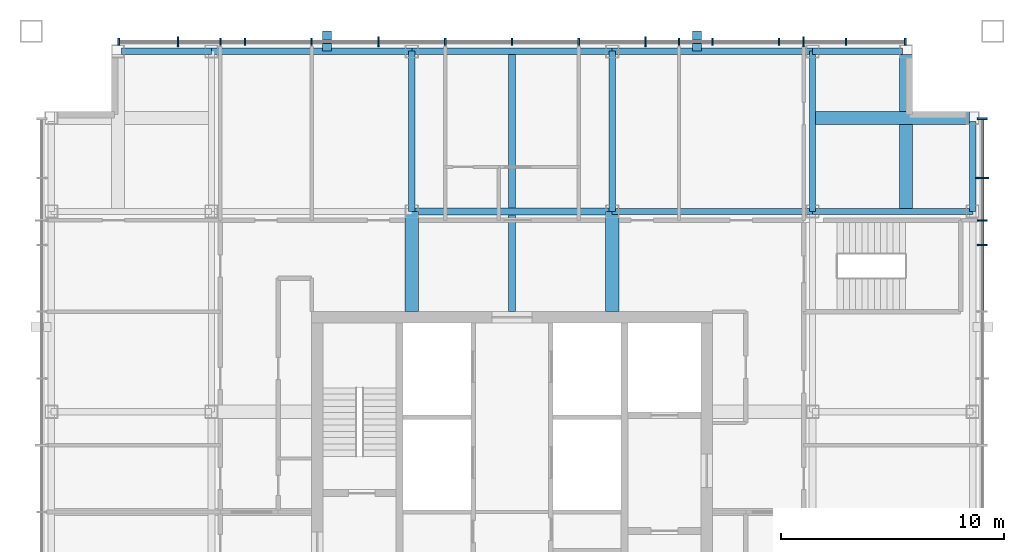
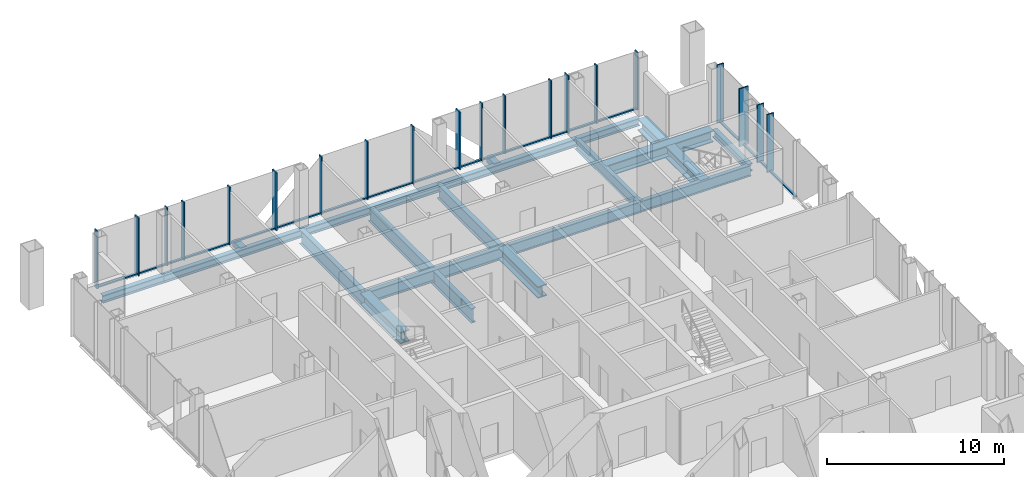
# One storey, part 5 of 12: 41 members, 17 beams, 2 elements without a shape of their own.
"""IFC4 building model written with IfcOpenShell, lengths in metres."""

from ifc_helpers import new_model, si_unit, direction, frame, origin, origin_2d, place, context, subcontext, project, spatial, rectangle, hollow_rectangle, i_section, extrude, material, layer, layer_set, material_profile, profile_set, type_object, element, aggregate, save


model = new_model("IFC4")

# Units and contexts
model_context = context("Model", 3, precision=1e-05, world=origin(), true_north=direction((0.0, 1.0)))
body_context = subcontext(model_context, "Body", "Model", "MODEL_VIEW")
ifc_project = project(units=[si_unit("LENGTHUNIT", "METRE"), si_unit("AREAUNIT", "SQUARE_METRE"), si_unit("VOLUMEUNIT", "CUBIC_METRE"), si_unit("PLANEANGLEUNIT", "RADIAN"), si_unit("MASSUNIT", "GRAM", prefix="KILO")], contexts=[model_context])

# Site, building, storey
site_placement = place(None, origin())
site = spatial("IfcSite", under=ifc_project, at=site_placement, CompositionType="ELEMENT")
building_placement = place(site_placement, origin())
building = spatial("IfcBuilding", under=site, at=building_placement, Name="Malebo Sky Hospital", CompositionType="ELEMENT")
storey_placement = place(building_placement, frame((0.0, 0.0, 262.0)))
storey = spatial("IfcBuildingStorey", under=building, at=storey_placement, Name="L63", CompositionType="ELEMENT", Elevation=262.0)

# Curtain wall, members
ifc_material_1 = material(Name="Anodised aluminium, natural silver", Category="aluminium")
ifc_layer_1 = layer(ifc_material_1, 0.25)
ifc_layer_set_1 = layer_set([ifc_layer_1], Name="WARD CURTAIN WALL NORTH AND SOUTH")
curtain_wall_type_1 = type_object("IfcCurtainWallType", Name="WARD CURTAIN WALL NORTH AND SOUTH", PredefinedType="NOTDEFINED", material=ifc_layer_set_1)
curtain_wall_1_placement = place(storey_placement, origin())
curtain_wall_1 = element("IfcCurtainWall", 1, at=curtain_wall_1_placement, inside=storey, type_object=curtain_wall_type_1, Name="NS curtain wall N", PredefinedType="NOTDEFINED")
ifc_material_profile_1 = material_profile(ifc_material_1, rectangle(XDim=0.14990234375, YDim=0.10009765625, at=origin_2d()), Name="ALUMINIUM TRANSOM 150x100")
ifc_profile_set_1 = profile_set([ifc_material_profile_1], Name="Anodised aluminium, natural silver")
member_type_1 = type_object("IfcMemberType", Name="ALUMINIUM TRANSOM 150x100", PredefinedType="USERDEFINED", material=ifc_profile_set_1)
member_1_placement = place(storey_placement, frame((42.375, 83.125, 0.050048828125), z_axis=(1.0, 0.0, 0.0), x_axis=(0.0, 1.0, 0.0)))
member_1 = element("IfcMember", 2, at=member_1_placement, type_object=member_type_1, Name="Transom 1", ObjectType="TRANSOM", PredefinedType="USERDEFINED", context=body_context, shape_type="SweptSolid", body=[
    extrude(rectangle(XDim=0.14990234375, YDim=0.10009765625, at=origin_2d()), origin(), (0.0, 0.0, 1.0), 2.58740234375),
])
member_2_placement = place(storey_placement, frame((45.03759765625, 83.125, 0.050048828125), z_axis=(1.0, 0.0, 0.0), x_axis=(0.0, 1.0, 0.0)))
member_2 = element("IfcMember", 3, at=member_2_placement, type_object=member_type_1, Name="Transom 2", ObjectType="TRANSOM", PredefinedType="USERDEFINED", context=body_context, shape_type="SweptSolid", body=[
    extrude(rectangle(XDim=0.14990234375, YDim=0.10009765625, at=origin_2d()), origin(), (0.0, 0.0, 1.0), 1.824951171875),
])
member_3_placement = place(storey_placement, frame((46.9375, 83.125, 0.050048828125), z_axis=(1.0, 0.0, 0.0), x_axis=(0.0, 1.0, 0.0)))
member_3 = element("IfcMember", 4, at=member_3_placement, type_object=member_type_1, Name="Transom 3", ObjectType="TRANSOM", PredefinedType="USERDEFINED", context=body_context, shape_type="SweptSolid", body=[
    extrude(rectangle(XDim=0.14990234375, YDim=0.10009765625, at=origin_2d()), origin(), (0.0, 0.0, 1.0), 1.02490234375),
])
member_4_placement = place(storey_placement, frame((48.03759765625, 83.125, 0.050048828125), z_axis=(1.0, 0.0, 0.0), x_axis=(0.0, 1.0, 0.0)))
member_4 = element("IfcMember", 5, at=member_4_placement, type_object=member_type_1, Name="Transom 4", ObjectType="TRANSOM", PredefinedType="USERDEFINED", context=body_context, shape_type="SweptSolid", body=[
    extrude(rectangle(XDim=0.14990234375, YDim=0.10009765625, at=origin_2d()), origin(), (0.0, 0.0, 1.0), 2.9248046875),
])
member_5_placement = place(storey_placement, frame((51.03759765625, 83.125, 0.050048828125), z_axis=(1.0, 0.0, 0.0), x_axis=(0.0, 1.0, 0.0)))
member_5 = element("IfcMember", 6, at=member_5_placement, type_object=member_type_1, Name="Transom 5", ObjectType="TRANSOM", PredefinedType="USERDEFINED", context=body_context, shape_type="SweptSolid", body=[
    extrude(rectangle(XDim=0.14990234375, YDim=0.10009765625, at=origin_2d()), origin(), (0.0, 0.0, 1.0), 2.9248046875),
])
member_6_placement = place(storey_placement, frame((54.03759765625, 83.125, 0.050048828125), z_axis=(1.0, 0.0, 0.0), x_axis=(0.0, 1.0, 0.0)))
member_6 = element("IfcMember", 7, at=member_6_placement, type_object=member_type_1, Name="Transom 6", ObjectType="TRANSOM", PredefinedType="USERDEFINED", context=body_context, shape_type="SweptSolid", body=[
    extrude(rectangle(XDim=0.14990234375, YDim=0.10009765625, at=origin_2d()), origin(), (0.0, 0.0, 1.0), 2.9248046875),
])
member_7_placement = place(storey_placement, frame((57.03759765625, 83.125, 0.050048828125), z_axis=(1.0, 0.0, 0.0), x_axis=(0.0, 1.0, 0.0)))
member_7 = element("IfcMember", 8, at=member_7_placement, type_object=member_type_1, Name="Transom 7", ObjectType="TRANSOM", PredefinedType="USERDEFINED", context=body_context, shape_type="SweptSolid", body=[
    extrude(rectangle(XDim=0.14990234375, YDim=0.10009765625, at=origin_2d()), origin(), (0.0, 0.0, 1.0), 2.9248046875),
])
member_8_placement = place(storey_placement, frame((60.03759765625, 83.125, 0.050048828125), z_axis=(1.0, 0.0, 0.0), x_axis=(0.0, 1.0, 0.0)))
member_8 = element("IfcMember", 9, at=member_8_placement, type_object=member_type_1, Name="Transom 8", ObjectType="TRANSOM", PredefinedType="USERDEFINED", context=body_context, shape_type="SweptSolid", body=[
    extrude(rectangle(XDim=0.14990234375, YDim=0.10009765625, at=origin_2d()), origin(), (0.0, 0.0, 1.0), 2.9248046875),
])
member_9_placement = place(storey_placement, frame((63.03759765625, 83.125, 0.050048828125), z_axis=(1.0, 0.0, 0.0), x_axis=(0.0, 1.0, 0.0)))
member_9 = element("IfcMember", 10, at=member_9_placement, type_object=member_type_1, Name="Transom 9", ObjectType="TRANSOM", PredefinedType="USERDEFINED", context=body_context, shape_type="SweptSolid", body=[
    extrude(rectangle(XDim=0.14990234375, YDim=0.10009765625, at=origin_2d()), origin(), (0.0, 0.0, 1.0), 2.9248046875),
])
member_10_placement = place(storey_placement, frame((66.03759765625, 83.125, 0.050048828125), z_axis=(1.0, 0.0, 0.0), x_axis=(0.0, 1.0, 0.0)))
member_10 = element("IfcMember", 11, at=member_10_placement, type_object=member_type_1, Name="Transom 10", ObjectType="TRANSOM", PredefinedType="USERDEFINED", context=body_context, shape_type="SweptSolid", body=[
    extrude(rectangle(XDim=0.14990234375, YDim=0.10009765625, at=origin_2d()), origin(), (0.0, 0.0, 1.0), 1.4248046875),
])
member_11_placement = place(storey_placement, frame((67.53759765625, 83.125, 0.050048828125), z_axis=(1.0, 0.0, 0.0), x_axis=(0.0, 1.0, 0.0)))
member_11 = element("IfcMember", 12, at=member_11_placement, type_object=member_type_1, Name="Transom 11", ObjectType="TRANSOM", PredefinedType="USERDEFINED", context=body_context, shape_type="SweptSolid", body=[
    extrude(rectangle(XDim=0.14990234375, YDim=0.10009765625, at=origin_2d()), origin(), (0.0, 0.0, 1.0), 1.4248046875),
])
member_12_placement = place(storey_placement, frame((69.03759765625, 83.125, 0.050048828125), z_axis=(1.0, 0.0, 0.0), x_axis=(0.0, 1.0, 0.0)))
member_12 = element("IfcMember", 13, at=member_12_placement, type_object=member_type_1, Name="Transom 12", ObjectType="TRANSOM", PredefinedType="USERDEFINED", context=body_context, shape_type="SweptSolid", body=[
    extrude(rectangle(XDim=0.14990234375, YDim=0.10009765625, at=origin_2d()), origin(), (0.0, 0.0, 1.0), 2.9248046875),
])
member_13_placement = place(storey_placement, frame((72.03759765625, 83.125, 0.050048828125), z_axis=(1.0, 0.0, 0.0), x_axis=(0.0, 1.0, 0.0)))
member_13 = element("IfcMember", 14, at=member_13_placement, type_object=member_type_1, Name="Transom 13", ObjectType="TRANSOM", PredefinedType="USERDEFINED", context=body_context, shape_type="SweptSolid", body=[
    extrude(rectangle(XDim=0.14990234375, YDim=0.10009765625, at=origin_2d()), origin(), (0.0, 0.0, 1.0), 1.02490234375),
])
member_14_placement = place(storey_placement, frame((73.137451171875, 83.125, 0.050048828125), z_axis=(1.0, 0.0, 0.0), x_axis=(0.0, 1.0, 0.0)))
member_14 = element("IfcMember", 15, at=member_14_placement, type_object=member_type_1, Name="Transom 14", ObjectType="TRANSOM", PredefinedType="USERDEFINED", context=body_context, shape_type="SweptSolid", body=[
    extrude(rectangle(XDim=0.14990234375, YDim=0.10009765625, at=origin_2d()), origin(), (0.0, 0.0, 1.0), 1.824951171875),
])
member_15_placement = place(storey_placement, frame((75.03759765625, 83.125, 0.050048828125), z_axis=(1.0, 0.0, 0.0), x_axis=(0.0, 1.0, 0.0)))
member_15 = element("IfcMember", 16, at=member_15_placement, type_object=member_type_1, Name="Transom 15", ObjectType="TRANSOM", PredefinedType="USERDEFINED", context=body_context, shape_type="SweptSolid", body=[
    extrude(rectangle(XDim=0.14990234375, YDim=0.10009765625, at=origin_2d()), origin(), (0.0, 0.0, 1.0), 2.58740234375),
])

ifc_layer_2 = layer(ifc_material_1, 0.25)
ifc_layer_set_2 = layer_set([ifc_layer_2], Name="WARD CURTAIN WALL EAST AND WEST")
curtain_wall_type_2 = type_object("IfcCurtainWallType", Name="WARD CURTAIN WALL EAST AND WEST", PredefinedType="NOTDEFINED", material=ifc_layer_set_2)
curtain_wall_2_placement = place(storey_placement, origin())
curtain_wall_2 = element("IfcCurtainWall", 17, at=curtain_wall_2_placement, inside=storey, type_object=curtain_wall_type_2, Name="EW curtain wall E", PredefinedType="NOTDEFINED")
member_16_placement = place(storey_placement, frame((81.125, 79.625, 0.050048828125), z_axis=(0.0, -1.0, 0.0), x_axis=(1.0, 0.0, 0.0)))
member_16 = element("IfcMember", 18, at=member_16_placement, type_object=member_type_1, Name="Transom 1", ObjectType="TRANSOM", PredefinedType="USERDEFINED", context=body_context, shape_type="SweptSolid", body=[
    extrude(rectangle(XDim=0.14990234375, YDim=0.10009765625, at=origin_2d()), origin(), (0.0, 0.0, 1.0), 2.58740234375),
])
member_17_placement = place(storey_placement, frame((81.125, 76.96240234375, 0.050048828125), z_axis=(0.0, -1.0, 0.0), x_axis=(1.0, 0.0, 0.0)))
member_17 = element("IfcMember", 19, at=member_17_placement, type_object=member_type_1, Name="Transom 2", ObjectType="TRANSOM", PredefinedType="USERDEFINED", context=body_context, shape_type="SweptSolid", body=[
    extrude(rectangle(XDim=0.14990234375, YDim=0.10009765625, at=origin_2d()), origin(), (0.0, 0.0, 1.0), 1.824951171875),
])
member_18_placement = place(storey_placement, frame((81.125, 75.0625, 0.050048828125), z_axis=(0.0, -1.0, 0.0), x_axis=(1.0, 0.0, 0.0)))
member_18 = element("IfcMember", 20, at=member_18_placement, type_object=member_type_1, Name="Transom 3", ObjectType="TRANSOM", PredefinedType="USERDEFINED", context=body_context, shape_type="SweptSolid", body=[
    extrude(rectangle(XDim=0.14990234375, YDim=0.10009765625, at=origin_2d()), origin(), (0.0, 0.0, 1.0), 1.02490234375),
])
member_19_placement = place(storey_placement, frame((81.125, 73.96240234375, 0.050048828125), z_axis=(0.0, -1.0, 0.0), x_axis=(1.0, 0.0, 0.0)))
member_19 = element("IfcMember", 21, at=member_19_placement, type_object=member_type_1, Name="Transom 4", ObjectType="TRANSOM", PredefinedType="USERDEFINED", context=body_context, shape_type="SweptSolid", body=[
    extrude(rectangle(XDim=0.14990234375, YDim=0.10009765625, at=origin_2d()), origin(), (0.0, 0.0, 1.0), 2.9248046875),
])

# Members
ifc_material_2 = material(Name="Steel S355", Category="steel")
ifc_material_profile_2 = material_profile(ifc_material_2, hollow_rectangle(XDim=0.39990234375, YDim=0.39990234375, WallThickness=0.02001953125, at=origin_2d()), Name="SHS 400x20")
ifc_profile_set_2 = profile_set([ifc_material_profile_2], Name="Steel S355")
member_type_2 = type_object("IfcMemberType", Name="BRACE STRUT SHS 400x20", PredefinedType="STRUT", material=ifc_profile_set_2)
for number, where, z_axis, x_axis, name in (
    (22, (68.303466796875, 83.60009765625, -0.39990234375), (0.0, -1.0, 0.0), (1.0, 0.0, 0.0), "Brace strut DN1 L63"),
    (23, (51.696533203125, 83.60009765625, -0.39990234375), (0.0, -1.0, 0.0), (1.0, 0.0, 0.0), "Brace strut DN2 L63"),
):
    element("IfcMember", number, at=place(storey_placement, frame(where, z_axis=z_axis, x_axis=x_axis)), inside=storey, type_object=member_type_2, Name=name, PredefinedType="STRUT", context=body_context, shape_type="SweptSolid", body=[
        extrude(hollow_rectangle(XDim=0.39990234375, YDim=0.39990234375, WallThickness=0.02001953125, at=origin_2d()), origin(), (0.0, 0.0, 1.0), 0.900146484375),
    ])

# Member
ifc_material_profile_3 = material_profile(ifc_material_1, rectangle(XDim=0.074951171875, YDim=0.300048828125, at=origin_2d()), Name="CW1 ALUMINIUM FIN MULLION 75x300")
ifc_profile_set_3 = profile_set([ifc_material_profile_3], Name="Anodised aluminium, natural silver")
member_type_3 = type_object("IfcMemberType", Name="CW1 ALUMINIUM FIN MULLION 75x300", PredefinedType="MULLION", material=ifc_profile_set_3)
member_20_placement = place(storey_placement, frame((42.33740234375, 83.125, 0.0), z_axis=(0.0, 0.0, 1.0), x_axis=(1.0, 0.0, 0.0)))
member_20 = element("IfcMember", 24, at=member_20_placement, type_object=member_type_3, Name="Fin mullion 1", PredefinedType="MULLION", context=body_context, shape_type="SweptSolid", body=[
    extrude(rectangle(XDim=0.074951171875, YDim=0.300048828125, at=origin_2d()), origin(), (0.0, 0.0, 1.0), 4.0),
])

member_21_placement = place(storey_placement, frame((46.89990234375, 83.125, 0.0), z_axis=(0.0, 0.0, 1.0), x_axis=(1.0, 0.0, 0.0)))
member_21 = element("IfcMember", 25, at=member_21_placement, type_object=member_type_3, Name="Fin mullion 3", PredefinedType="MULLION", context=body_context, shape_type="SweptSolid", body=[
    extrude(rectangle(XDim=0.074951171875, YDim=0.300048828125, at=origin_2d()), origin(), (0.0, 0.0, 1.0), 4.0),
])

member_22_placement = place(storey_placement, frame((48.0, 83.125, 0.0), z_axis=(0.0, 0.0, 1.0), x_axis=(1.0, 0.0, 0.0)))
member_22 = element("IfcMember", 26, at=member_22_placement, type_object=member_type_3, Name="Fin mullion 4", PredefinedType="MULLION", context=body_context, shape_type="SweptSolid", body=[
    extrude(rectangle(XDim=0.074951171875, YDim=0.300048828125, at=origin_2d()), origin(), (0.0, 0.0, 1.0), 4.0),
])

member_23_placement = place(storey_placement, frame((51.0, 83.125, 0.0), z_axis=(0.0, 0.0, 1.0), x_axis=(1.0, 0.0, 0.0)))
member_23 = element("IfcMember", 27, at=member_23_placement, type_object=member_type_3, Name="Fin mullion 5", PredefinedType="MULLION", context=body_context, shape_type="SweptSolid", body=[
    extrude(rectangle(XDim=0.074951171875, YDim=0.300048828125, at=origin_2d()), origin(), (0.0, 0.0, 1.0), 4.0),
])

member_24_placement = place(storey_placement, frame((57.0, 83.125, 0.0), z_axis=(0.0, 0.0, 1.0), x_axis=(1.0, 0.0, 0.0)))
member_24 = element("IfcMember", 28, at=member_24_placement, type_object=member_type_3, Name="Fin mullion 7", PredefinedType="MULLION", context=body_context, shape_type="SweptSolid", body=[
    extrude(rectangle(XDim=0.074951171875, YDim=0.300048828125, at=origin_2d()), origin(), (0.0, 0.0, 1.0), 4.0),
])

member_25_placement = place(storey_placement, frame((60.0, 83.125, 0.0), z_axis=(0.0, 0.0, 1.0), x_axis=(1.0, 0.0, 0.0)))
member_25 = element("IfcMember", 29, at=member_25_placement, type_object=member_type_3, Name="Fin mullion 8", PredefinedType="MULLION", context=body_context, shape_type="SweptSolid", body=[
    extrude(rectangle(XDim=0.074951171875, YDim=0.300048828125, at=origin_2d()), origin(), (0.0, 0.0, 1.0), 4.0),
])

member_26_placement = place(storey_placement, frame((63.0, 83.125, 0.0), z_axis=(0.0, 0.0, 1.0), x_axis=(1.0, 0.0, 0.0)))
member_26 = element("IfcMember", 30, at=member_26_placement, type_object=member_type_3, Name="Fin mullion 9", PredefinedType="MULLION", context=body_context, shape_type="SweptSolid", body=[
    extrude(rectangle(XDim=0.074951171875, YDim=0.300048828125, at=origin_2d()), origin(), (0.0, 0.0, 1.0), 4.0),
])

member_27_placement = place(storey_placement, frame((67.5, 83.125, 0.0), z_axis=(0.0, 0.0, 1.0), x_axis=(1.0, 0.0, 0.0)))
member_27 = element("IfcMember", 31, at=member_27_placement, type_object=member_type_3, Name="Fin mullion 11", PredefinedType="MULLION", context=body_context, shape_type="SweptSolid", body=[
    extrude(rectangle(XDim=0.074951171875, YDim=0.300048828125, at=origin_2d()), origin(), (0.0, 0.0, 1.0), 4.0),
])

member_28_placement = place(storey_placement, frame((69.0, 83.125, 0.0), z_axis=(0.0, 0.0, 1.0), x_axis=(1.0, 0.0, 0.0)))
member_28 = element("IfcMember", 32, at=member_28_placement, type_object=member_type_3, Name="Fin mullion 12", PredefinedType="MULLION", context=body_context, shape_type="SweptSolid", body=[
    extrude(rectangle(XDim=0.074951171875, YDim=0.300048828125, at=origin_2d()), origin(), (0.0, 0.0, 1.0), 4.0),
])

member_29_placement = place(storey_placement, frame((72.0, 83.125, 0.0), z_axis=(0.0, 0.0, 1.0), x_axis=(1.0, 0.0, 0.0)))
member_29 = element("IfcMember", 33, at=member_29_placement, type_object=member_type_3, Name="Fin mullion 13", PredefinedType="MULLION", context=body_context, shape_type="SweptSolid", body=[
    extrude(rectangle(XDim=0.074951171875, YDim=0.300048828125, at=origin_2d()), origin(), (0.0, 0.0, 1.0), 4.0),
])

member_30_placement = place(storey_placement, frame((75.0, 83.125, 0.0), z_axis=(0.0, 0.0, 1.0), x_axis=(1.0, 0.0, 0.0)))
member_30 = element("IfcMember", 34, at=member_30_placement, type_object=member_type_3, Name="Fin mullion 15", PredefinedType="MULLION", context=body_context, shape_type="SweptSolid", body=[
    extrude(rectangle(XDim=0.074951171875, YDim=0.300048828125, at=origin_2d()), origin(), (0.0, 0.0, 1.0), 4.0),
])

member_31_placement = place(storey_placement, frame((77.66259765625, 83.125, 0.0), z_axis=(0.0, 0.0, 1.0), x_axis=(1.0, 0.0, 0.0)))
member_31 = element("IfcMember", 35, at=member_31_placement, type_object=member_type_3, Name="Fin mullion 16", PredefinedType="MULLION", context=body_context, shape_type="SweptSolid", body=[
    extrude(rectangle(XDim=0.074951171875, YDim=0.300048828125, at=origin_2d()), origin(), (0.0, 0.0, 1.0), 4.0),
])

ifc_material_profile_4 = material_profile(ifc_material_1, rectangle(XDim=0.074951171875, YDim=0.449951171875, at=origin_2d()), Name="CW1 ALUMINIUM FIN MULLION 75x450")
ifc_profile_set_4 = profile_set([ifc_material_profile_4], Name="Anodised aluminium, natural silver")
member_type_4 = type_object("IfcMemberType", Name="CW1 ALUMINIUM FIN MULLION 75x450", PredefinedType="MULLION", material=ifc_profile_set_4)
member_32_placement = place(storey_placement, frame((45.0, 83.125, 0.0), z_axis=(0.0, 0.0, 1.0), x_axis=(1.0, 0.0, 0.0)))
member_32 = element("IfcMember", 36, at=member_32_placement, type_object=member_type_4, Name="Fin mullion 2", PredefinedType="MULLION", context=body_context, shape_type="SweptSolid", body=[
    extrude(rectangle(XDim=0.074951171875, YDim=0.449951171875, at=origin_2d()), origin(), (0.0, 0.0, 1.0), 4.0),
])

member_33_placement = place(storey_placement, frame((54.0, 83.125, 0.0), z_axis=(0.0, 0.0, 1.0), x_axis=(1.0, 0.0, 0.0)))
member_33 = element("IfcMember", 37, at=member_33_placement, type_object=member_type_4, Name="Fin mullion 6", PredefinedType="MULLION", context=body_context, shape_type="SweptSolid", body=[
    extrude(rectangle(XDim=0.074951171875, YDim=0.449951171875, at=origin_2d()), origin(), (0.0, 0.0, 1.0), 4.0),
])

member_34_placement = place(storey_placement, frame((66.0, 83.125, 0.0), z_axis=(0.0, 0.0, 1.0), x_axis=(1.0, 0.0, 0.0)))
member_34 = element("IfcMember", 38, at=member_34_placement, type_object=member_type_4, Name="Fin mullion 10", PredefinedType="MULLION", context=body_context, shape_type="SweptSolid", body=[
    extrude(rectangle(XDim=0.074951171875, YDim=0.449951171875, at=origin_2d()), origin(), (0.0, 0.0, 1.0), 4.0),
])

member_35_placement = place(storey_placement, frame((73.10009765625, 83.125, 0.0), z_axis=(0.0, 0.0, 1.0), x_axis=(1.0, 0.0, 0.0)))
member_35 = element("IfcMember", 39, at=member_35_placement, type_object=member_type_4, Name="Fin mullion 14", PredefinedType="MULLION", context=body_context, shape_type="SweptSolid", body=[
    extrude(rectangle(XDim=0.074951171875, YDim=0.449951171875, at=origin_2d()), origin(), (0.0, 0.0, 1.0), 4.0),
])

aggregate(curtain_wall_1, [member_20, member_32, member_21, member_22, member_23, member_33, member_24, member_25, member_26, member_34, member_27, member_28, member_29, member_35, member_30, member_31, member_1, member_2, member_3, member_4, member_5, member_6, member_7, member_8, member_9, member_10, member_11, member_12, member_13, member_14, member_15])

ifc_material_profile_5 = material_profile(ifc_material_1, rectangle(XDim=0.074951171875, YDim=0.449951171875, at=origin_2d()), Name="CW2 ALUMINIUM FIN MULLION 75x450")
ifc_profile_set_5 = profile_set([ifc_material_profile_5], Name="Anodised aluminium, natural silver")
member_type_5 = type_object("IfcMemberType", Name="CW2 ALUMINIUM FIN MULLION 75x450", PredefinedType="MULLION", material=ifc_profile_set_5)
member_36_placement = place(storey_placement, frame((81.125, 79.66259765625, 0.0), z_axis=(0.0, 0.0, 1.0), x_axis=(0.0, -1.0, 0.0)))
member_36 = element("IfcMember", 40, at=member_36_placement, type_object=member_type_5, Name="Fin mullion 1", PredefinedType="MULLION", context=body_context, shape_type="SweptSolid", body=[
    extrude(rectangle(XDim=0.074951171875, YDim=0.449951171875, at=origin_2d()), origin(), (0.0, 0.0, 1.0), 4.0),
])

member_37_placement = place(storey_placement, frame((81.125, 75.10009765625, 0.0), z_axis=(0.0, 0.0, 1.0), x_axis=(0.0, -1.0, 0.0)))
member_37 = element("IfcMember", 41, at=member_37_placement, type_object=member_type_5, Name="Fin mullion 3", PredefinedType="MULLION", context=body_context, shape_type="SweptSolid", body=[
    extrude(rectangle(XDim=0.074951171875, YDim=0.449951171875, at=origin_2d()), origin(), (0.0, 0.0, 1.0), 4.0),
])

member_38_placement = place(storey_placement, frame((81.125, 74.0, 0.0), z_axis=(0.0, 0.0, 1.0), x_axis=(0.0, -1.0, 0.0)))
member_38 = element("IfcMember", 42, at=member_38_placement, type_object=member_type_5, Name="Fin mullion 4", PredefinedType="MULLION", context=body_context, shape_type="SweptSolid", body=[
    extrude(rectangle(XDim=0.074951171875, YDim=0.449951171875, at=origin_2d()), origin(), (0.0, 0.0, 1.0), 4.0),
])

ifc_material_profile_6 = material_profile(ifc_material_1, rectangle(XDim=0.074951171875, YDim=0.60009765625, at=origin_2d()), Name="CW2 ALUMINIUM FIN MULLION 75x600")
ifc_profile_set_6 = profile_set([ifc_material_profile_6], Name="Anodised aluminium, natural silver")
member_type_6 = type_object("IfcMemberType", Name="CW2 ALUMINIUM FIN MULLION 75x600", PredefinedType="MULLION", material=ifc_profile_set_6)
member_39_placement = place(storey_placement, frame((81.125, 77.0, 0.0), z_axis=(0.0, 0.0, 1.0), x_axis=(0.0, -1.0, 0.0)))
member_39 = element("IfcMember", 43, at=member_39_placement, type_object=member_type_6, Name="Fin mullion 2", PredefinedType="MULLION", context=body_context, shape_type="SweptSolid", body=[
    extrude(rectangle(XDim=0.074951171875, YDim=0.60009765625, at=origin_2d()), origin(), (0.0, 0.0, 1.0), 4.0),
])

aggregate(curtain_wall_2, [member_36, member_39, member_37, member_38, member_16, member_17, member_18, member_19])

# Beams
ifc_material_profile_7 = material_profile(ifc_material_2, i_section(OverallWidth=0.305908203125, OverallDepth=0.52392578125, WebThickness=0.02099609375, FlangeThickness=0.0400390625, FilletRadius=0.027099609375, at=origin_2d()), Name="HEM 500")
ifc_profile_set_7 = profile_set([ifc_material_profile_7], Name="Steel S355")
beam_type_1 = type_object("IfcBeamType", Name="EDGE BEAM HEM 500", PredefinedType="BEAM", material=ifc_profile_set_7)
for number, where, z_axis, x_axis, name in (
    (44, (80.699951171875, 75.5, -0.511962890625), (0.0, 1.0, 0.0), (-1.0, 0.0, 0.0), "Beam 033 L63"),
    (45, (42.449951171875, 82.699951171875, -0.511962890625), (1.0, 0.0, 0.0), (0.0, 1.0, 0.0), "Beam 063 L63"),
):
    element("IfcBeam", number, at=place(storey_placement, frame(where, z_axis=z_axis, x_axis=x_axis)), inside=storey, type_object=beam_type_1, Name=name, PredefinedType="BEAM", context=body_context, shape_type="SweptSolid", body=[
        extrude(i_section(OverallWidth=0.305908203125, OverallDepth=0.52392578125, WebThickness=0.02099609375, FlangeThickness=0.0400390625, FilletRadius=0.027099609375, at=origin_2d()), origin(), (0.0, 0.0, 1.0), 4.050048828125),
    ])
for number, where, z_axis, x_axis, name in (
    (46, (46.5, 82.699951171875, -0.511962890625), (1.0, 0.0, 0.0), (0.0, 1.0, 0.0), "Beam 064 L63"),
    (47, (55.5, 82.699951171875, -0.511962890625), (1.0, 0.0, 0.0), (0.0, 1.0, 0.0), "Beam 065 L63"),
    (48, (64.5, 82.699951171875, -0.511962890625), (1.0, 0.0, 0.0), (0.0, 1.0, 0.0), "Beam 066 L63"),
):
    element("IfcBeam", number, at=place(storey_placement, frame(where, z_axis=z_axis, x_axis=x_axis)), inside=storey, type_object=beam_type_1, Name=name, PredefinedType="BEAM", context=body_context, shape_type="SweptSolid", body=[
        extrude(i_section(OverallWidth=0.305908203125, OverallDepth=0.52392578125, WebThickness=0.02099609375, FlangeThickness=0.0400390625, FilletRadius=0.027099609375, at=origin_2d()), origin(), (0.0, 0.0, 1.0), 9.0),
    ])
beam_1_placement = place(storey_placement, frame((73.5, 82.699951171875, -0.511962890625), z_axis=(1.0, 0.0, 0.0), x_axis=(0.0, 1.0, 0.0)))
element("IfcBeam", 49, at=beam_1_placement, inside=storey, type_object=beam_type_1, Name="Beam 067 L63", PredefinedType="BEAM", context=body_context, shape_type="SweptSolid", body=[
    extrude(i_section(OverallWidth=0.305908203125, OverallDepth=0.52392578125, WebThickness=0.02099609375, FlangeThickness=0.0400390625, FilletRadius=0.027099609375, at=origin_2d()), origin(), (0.0, 0.0, 1.0), 4.050048828125),
])
ifc_material_profile_8 = material_profile(ifc_material_2, i_section(OverallWidth=0.300048828125, OverallDepth=1.0, WebThickness=0.01904296875, FlangeThickness=0.035888671875, FilletRadius=0.030029296875, at=origin_2d()), Name="HEB 1000")
ifc_profile_set_8 = profile_set([ifc_material_profile_8], Name="Steel S355")
beam_type_2 = type_object("IfcBeamType", Name="FLOOR BEAM HEB 1000", PredefinedType="BEAM", material=ifc_profile_set_8)
beam_2_placement = place(storey_placement, frame((55.5, 75.5, -0.75), z_axis=(0.0, 1.0, 0.0), x_axis=(-1.0, 0.0, 0.0)))
element("IfcBeam", 50, at=beam_2_placement, inside=storey, type_object=beam_type_2, Name="Beam 015 L63", PredefinedType="BEAM", context=body_context, shape_type="SweptSolid", body=[
    extrude(i_section(OverallWidth=0.300048828125, OverallDepth=1.0, WebThickness=0.01904296875, FlangeThickness=0.035888671875, FilletRadius=0.030029296875, at=origin_2d()), origin(), (0.0, 0.0, 1.0), 7.199951171875),
])
beam_3_placement = place(storey_placement, frame((60.0, 71.0, -0.75), z_axis=(0.0, 1.0, 0.0), x_axis=(-1.0, 0.0, 0.0)))
element("IfcBeam", 51, at=beam_3_placement, inside=storey, type_object=beam_type_2, Name="Beam 017 L63", PredefinedType="BEAM", context=body_context, shape_type="SweptSolid", body=[
    extrude(i_section(OverallWidth=0.300048828125, OverallDepth=1.0, WebThickness=0.01904296875, FlangeThickness=0.035888671875, FilletRadius=0.030029296875, at=origin_2d()), origin(), (0.0, 0.0, 1.0), 11.699951171875),
])
beam_4_placement = place(storey_placement, frame((64.5, 75.5, -0.75), z_axis=(0.0, 1.0, 0.0), x_axis=(-1.0, 0.0, 0.0)))
element("IfcBeam", 52, at=beam_4_placement, inside=storey, type_object=beam_type_2, Name="Beam 021 L63", PredefinedType="BEAM", context=body_context, shape_type="SweptSolid", body=[
    extrude(i_section(OverallWidth=0.300048828125, OverallDepth=1.0, WebThickness=0.01904296875, FlangeThickness=0.035888671875, FilletRadius=0.030029296875, at=origin_2d()), origin(), (0.0, 0.0, 1.0), 7.199951171875),
])
ifc_material_profile_9 = material_profile(ifc_material_2, i_section(OverallWidth=0.26708984375, OverallDepth=0.761962890625, WebThickness=0.014404296875, FlangeThickness=0.021484375, FilletRadius=0.01708984375, at=origin_2d()), Name="IPE 750x173")
ifc_profile_set_9 = profile_set([ifc_material_profile_9], Name="Steel S355")
beam_type_3 = type_object("IfcBeamType", Name="FLOOR BEAM IPE 750x173", PredefinedType="BEAM", material=ifc_profile_set_9)
beam_5_placement = place(storey_placement, frame((64.5, 75.5, -0.631103515625), z_axis=(1.0, 0.0, 0.0), x_axis=(0.0, 1.0, 0.0)))
element("IfcBeam", 53, at=beam_5_placement, inside=storey, type_object=beam_type_3, Name="Beam 059 L63", PredefinedType="BEAM", context=body_context, shape_type="SweptSolid", body=[
    extrude(i_section(OverallWidth=0.26708984375, OverallDepth=0.761962890625, WebThickness=0.014404296875, FlangeThickness=0.021484375, FilletRadius=0.01708984375, at=origin_2d()), origin(), (0.0, 0.0, 1.0), 9.0),
])
ifc_material_profile_10 = material_profile(ifc_material_2, i_section(OverallWidth=0.60009765625, OverallDepth=0.800048828125, WebThickness=0.0400390625, FlangeThickness=0.06005859375, at=origin_2d()), Name="PG 800x600x40x60")
ifc_profile_set_10 = profile_set([ifc_material_profile_10], Name="Steel S355")
beam_type_4 = type_object("IfcBeamType", Name="FLOOR BEAM PG 800x600x40x60", PredefinedType="BEAM", material=ifc_profile_set_10)
for number, where, z_axis, x_axis, name in (
    (54, (55.5, 71.0, -0.64990234375), (0.0, 1.0, 0.0), (-1.0, 0.0, 0.0), "Beam 014 L63"),
    (55, (64.5, 71.0, -0.64990234375), (0.0, 1.0, 0.0), (-1.0, 0.0, 0.0), "Beam 020 L63"),
):
    element("IfcBeam", number, at=place(storey_placement, frame(where, z_axis=z_axis, x_axis=x_axis)), inside=storey, type_object=beam_type_4, Name=name, PredefinedType="BEAM", context=body_context, shape_type="SweptSolid", body=[
        extrude(i_section(OverallWidth=0.60009765625, OverallDepth=0.800048828125, WebThickness=0.0400390625, FlangeThickness=0.06005859375, at=origin_2d()), origin(), (0.0, 0.0, 1.0), 4.5),
    ])
for number, where, z_axis, x_axis, name in (
    (56, (77.699951171875, 75.5, -0.64990234375), (0.0, 1.0, 0.0), (-1.0, 0.0, 0.0), "Beam 028 L63"),
    (57, (73.5, 79.699951171875, -0.64990234375), (1.0, 0.0, 0.0), (0.0, 1.0, 0.0), "Beam 062 L63"),
):
    element("IfcBeam", number, at=place(storey_placement, frame(where, z_axis=z_axis, x_axis=x_axis)), inside=storey, type_object=beam_type_4, Name=name, PredefinedType="BEAM", context=body_context, shape_type="SweptSolid", body=[
        extrude(i_section(OverallWidth=0.60009765625, OverallDepth=0.800048828125, WebThickness=0.0400390625, FlangeThickness=0.06005859375, at=origin_2d()), origin(), (0.0, 0.0, 1.0), 7.050048828125),
    ])
ifc_material_profile_11 = material_profile(ifc_material_2, i_section(OverallWidth=0.262939453125, OverallDepth=0.7529296875, WebThickness=0.011474609375, FlangeThickness=0.01708984375, FilletRadius=0.01708984375, at=origin_2d()), Name="IPE 750x137")
ifc_profile_set_11 = profile_set([ifc_material_profile_11], Name="Steel S355")
beam_type_5 = type_object("IfcBeamType", Name="FLOOR GIRDER IPE 750x137", PredefinedType="BEAM", material=ifc_profile_set_11)
for number, where, z_axis, x_axis, name in (
    (58, (73.5, 75.5, -0.62646484375), (0.0, 1.0, 0.0), (-1.0, 0.0, 0.0), "Beam 026 L63"),
    (59, (73.5, 75.5, -0.62646484375), (1.0, 0.0, 0.0), (0.0, 1.0, 0.0), "Beam 060 L63"),
):
    element("IfcBeam", number, at=place(storey_placement, frame(where, z_axis=z_axis, x_axis=x_axis)), inside=storey, type_object=beam_type_5, Name=name, PredefinedType="BEAM", context=body_context, shape_type="SweptSolid", body=[
        extrude(i_section(OverallWidth=0.262939453125, OverallDepth=0.7529296875, WebThickness=0.011474609375, FlangeThickness=0.01708984375, FilletRadius=0.01708984375, at=origin_2d()), origin(), (0.0, 0.0, 1.0), 7.199951171875),
    ])
ifc_material_profile_12 = material_profile(ifc_material_2, i_section(OverallWidth=0.300048828125, OverallDepth=0.800048828125, WebThickness=0.017578125, FlangeThickness=0.032958984375, FilletRadius=0.030029296875, at=origin_2d()), Name="HEB 800")
ifc_profile_set_12 = profile_set([ifc_material_profile_12], Name="Steel S355")
beam_type_6 = type_object("IfcBeamType", Name="RING GIRDER HEB 800", PredefinedType="BEAM", material=ifc_profile_set_12)
beam_6_placement = place(storey_placement, frame((55.5, 75.5, -0.64990234375), z_axis=(1.0, 0.0, 0.0), x_axis=(0.0, 1.0, 0.0)))
element("IfcBeam", 60, at=beam_6_placement, inside=storey, type_object=beam_type_6, Name="Beam 058 L63", PredefinedType="BEAM", context=body_context, shape_type="SweptSolid", body=[
    extrude(i_section(OverallWidth=0.300048828125, OverallDepth=0.800048828125, WebThickness=0.017578125, FlangeThickness=0.032958984375, FilletRadius=0.030029296875, at=origin_2d()), origin(), (0.0, 0.0, 1.0), 9.0),
])

save(model, "model.ifc")
